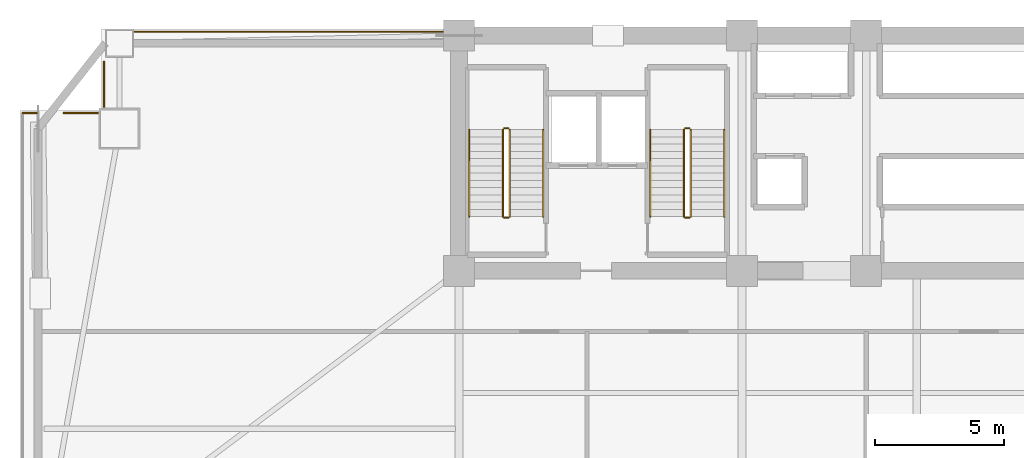
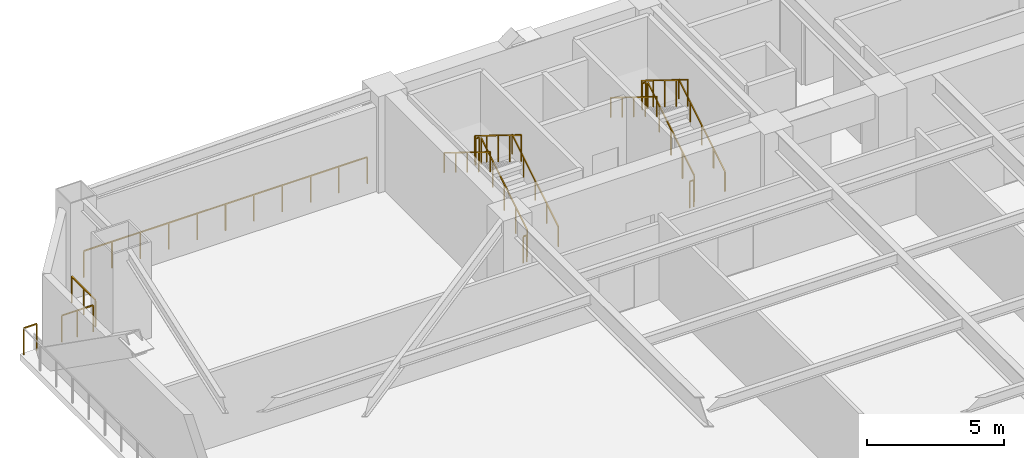
# One storey, part 7 of 9: 16 railings.
"""IFC4 building model written with IfcOpenShell, lengths in metres."""

from ifc_helpers import new_model, si_unit, direction, frame, origin, origin_2d, place, context, subcontext, project, spatial, rectangle, extrude, material, type_object, element, save


model = new_model("IFC4")

# Units and contexts
model_context = context("Model", 3, precision=1e-05, world=origin(), true_north=direction((0.0, 1.0)))
body_context = subcontext(model_context, "Body", "Model", "MODEL_VIEW")
ifc_project = project(units=[si_unit("LENGTHUNIT", "METRE"), si_unit("AREAUNIT", "SQUARE_METRE"), si_unit("VOLUMEUNIT", "CUBIC_METRE"), si_unit("PLANEANGLEUNIT", "RADIAN"), si_unit("MASSUNIT", "GRAM", prefix="KILO")], contexts=[model_context])

# Site, building, storey
site_placement = place(None, origin())
site = spatial("IfcSite", under=ifc_project, at=site_placement, CompositionType="ELEMENT")
building_placement = place(site_placement, origin())
building = spatial("IfcBuilding", under=site, at=building_placement, Name="Giltprow Tower", CompositionType="ELEMENT")
storey_placement = place(building_placement, frame((0.0, 0.0, 48.800048828125)))
storey = spatial("IfcBuildingStorey", under=building, at=storey_placement, Name="L12", CompositionType="ELEMENT", Elevation=48.800048828125)

# Railings
ifc_material = material(Name="Anodized bronze", Category="metal")
railing_type_1 = type_object("IfcRailingType", Name="RAIL-BALC-GUARD-1200", PredefinedType="BALUSTRADE", material=ifc_material)
railing_1_placement = place(storey_placement, frame((2.969970703125, 43.552001953125, 0.0)))
element("IfcRailing", 1, at=railing_1_placement, inside=storey, type_object=railing_type_1, Name="L12 Corner Apron Edge Balustrade 4", PredefinedType="BALUSTRADE", context=body_context, shape_type="SweptSolid", body=[
    extrude(rectangle(XDim=0.048095703125, YDim=0.048095703125, at=origin_2d()), frame((0.0, 0.0, 1.17578125), z_axis=(1.0, 0.0, 0.0), x_axis=(0.0, 1.0, 0.0)), (0.0, 0.0, 1.0), 0.551025390625),
    extrude(rectangle(XDim=0.0419921875, YDim=0.0419921875, at=origin_2d()), origin(), (0.0, 0.0, 1.0), 1.15185546875),
    extrude(rectangle(XDim=0.0419921875, YDim=0.0419921875, at=origin_2d()), frame((0.551025390625, 0.0, 0.0)), (0.0, 0.0, 1.0), 1.15185546875),
])
railing_2_placement = place(storey_placement, frame((4.56494140625, 43.552001953125, 0.0)))
element("IfcRailing", 2, at=railing_2_placement, inside=storey, type_object=railing_type_1, Name="L12 Corner Apron Edge Balustrade 5", PredefinedType="BALUSTRADE", context=body_context, shape_type="SweptSolid", body=[
    extrude(rectangle(XDim=0.048095703125, YDim=0.048095703125, at=origin_2d()), frame((0.0, 0.0, 1.17578125), z_axis=(1.0, 0.0, 0.0), x_axis=(0.0, 1.0, 0.0)), (0.0, 0.0, 1.0), 1.318115234375),
    extrude(rectangle(XDim=0.0419921875, YDim=0.0419921875, at=origin_2d()), origin(), (0.0, 0.0, 1.0), 1.15185546875),
    extrude(rectangle(XDim=0.0419921875, YDim=0.0419921875, at=origin_2d()), frame((0.6591796875, 0.0, 0.0)), (0.0, 0.0, 1.0), 1.15185546875),
    extrude(rectangle(XDim=0.0419921875, YDim=0.0419921875, at=origin_2d()), frame((1.318115234375, 0.0, 0.0)), (0.0, 0.0, 1.0), 1.15185546875),
])
railing_3_placement = place(storey_placement, frame((6.117919921875, 43.787109375, 0.0)))
element("IfcRailing", 3, at=railing_3_placement, inside=storey, type_object=railing_type_1, Name="L12 Corner Apron Edge Balustrade 6", PredefinedType="BALUSTRADE", context=body_context, shape_type="SweptSolid", body=[
    extrude(rectangle(XDim=0.048095703125, YDim=0.048095703125, at=origin_2d()), frame((0.0, 0.0, 1.17578125), z_axis=(0.0, 1.0, 0.0), x_axis=(-1.0, 0.0, 0.0)), (0.0, 0.0, 1.0), 1.73681640625),
    extrude(rectangle(XDim=0.0419921875, YDim=0.0419921875, at=origin_2d()), origin(), (0.0, 0.0, 1.0), 1.15185546875),
    extrude(rectangle(XDim=0.0419921875, YDim=0.0419921875, at=origin_2d()), frame((0.0, 0.868408203125, 0.0)), (0.0, 0.0, 1.0), 1.15185546875),
    extrude(rectangle(XDim=0.0419921875, YDim=0.0419921875, at=origin_2d()), frame((0.0, 1.73681640625, 0.0)), (0.0, 0.0, 1.0), 1.15185546875),
])
railing_4_placement = place(storey_placement, frame((7.302978515625, 46.699951171875, 0.0)))
element("IfcRailing", 4, at=railing_4_placement, inside=storey, type_object=railing_type_1, Name="L12 Corner Apron Edge Balustrade 7", PredefinedType="BALUSTRADE", context=body_context, shape_type="SweptSolid", body=[
    extrude(rectangle(XDim=0.048095703125, YDim=0.048095703125, at=origin_2d()), frame((0.0, 0.0, 1.17578125), z_axis=(1.0, 0.0, 0.0), x_axis=(0.0, 1.0, 0.0)), (0.0, 0.0, 1.0), 11.912109375),
    extrude(rectangle(XDim=0.0419921875, YDim=0.0419921875, at=origin_2d()), origin(), (0.0, 0.0, 1.0), 1.15185546875),
    extrude(rectangle(XDim=0.0419921875, YDim=0.0419921875, at=origin_2d()), frame((1.191162109375, 0.0, 0.0)), (0.0, 0.0, 1.0), 1.15185546875),
    extrude(rectangle(XDim=0.0419921875, YDim=0.0419921875, at=origin_2d()), frame((2.38232421875, 0.0, 0.0)), (0.0, 0.0, 1.0), 1.15185546875),
    extrude(rectangle(XDim=0.0419921875, YDim=0.0419921875, at=origin_2d()), frame((3.57373046875, 0.0, 0.0)), (0.0, 0.0, 1.0), 1.15185546875),
    extrude(rectangle(XDim=0.0419921875, YDim=0.0419921875, at=origin_2d()), frame((4.764892578125, 0.0, 0.0)), (0.0, 0.0, 1.0), 1.15185546875),
    extrude(rectangle(XDim=0.0419921875, YDim=0.0419921875, at=origin_2d()), frame((5.9560546875, 0.0, 0.0)), (0.0, 0.0, 1.0), 1.15185546875),
    extrude(rectangle(XDim=0.0419921875, YDim=0.0419921875, at=origin_2d()), frame((7.147216796875, 0.0, 0.0)), (0.0, 0.0, 1.0), 1.15185546875),
    extrude(rectangle(XDim=0.0419921875, YDim=0.0419921875, at=origin_2d()), frame((8.33837890625, 0.0, 0.0)), (0.0, 0.0, 1.0), 1.15185546875),
    extrude(rectangle(XDim=0.0419921875, YDim=0.0419921875, at=origin_2d()), frame((9.52978515625, 0.0, 0.0)), (0.0, 0.0, 1.0), 1.15185546875),
    extrude(rectangle(XDim=0.0419921875, YDim=0.0419921875, at=origin_2d()), frame((10.720947265625, 0.0, 0.0)), (0.0, 0.0, 1.0), 1.15185546875),
    extrude(rectangle(XDim=0.0419921875, YDim=0.0419921875, at=origin_2d()), frame((11.912109375, 0.0, 0.0)), (0.0, 0.0, 1.0), 1.15185546875),
])
railing_type_2 = type_object("IfcRailingType", Name="RAIL-STAIR-GUARD-1200", PredefinedType="GUARDRAIL", material=ifc_material)
railing_5_placement = place(storey_placement, frame((21.81005859375, 39.550048828125, 0.173095703125)))
element("IfcRailing", 5, at=railing_5_placement, inside=storey, type_object=railing_type_2, Name="L12 ST-1 stair guard 1", PredefinedType="GUARDRAIL", context=body_context, shape_type="SweptSolid", body=[
    extrude(rectangle(XDim=0.048095703125, YDim=0.048095703125, at=origin_2d()), frame((0.0, 0.0, 1.17578125), z_axis=(0.0, 0.850606129759, 0.525803396734), x_axis=(-1.0, 0.0, 0.0)), (0.0, 0.0, 1.0), 3.949951171875),
    extrude(rectangle(XDim=0.0419921875, YDim=0.0419921875, at=origin_2d()), origin(), (0.0, 0.0, 1.0), 1.15185546875),
    extrude(rectangle(XDim=0.0419921875, YDim=0.0419921875, at=origin_2d()), frame((0.0, 0.83984375, 0.519287109375)), (0.0, 0.0, 1.0), 1.15185546875),
    extrude(rectangle(XDim=0.0419921875, YDim=0.0419921875, at=origin_2d()), frame((0.0, 1.679931640625, 1.03857421875)), (0.0, 0.0, 1.0), 1.15185546875),
    extrude(rectangle(XDim=0.0419921875, YDim=0.0419921875, at=origin_2d()), frame((0.0, 2.52001953125, 1.5576171875)), (0.0, 0.0, 1.0), 1.15185546875),
    extrude(rectangle(XDim=0.0419921875, YDim=0.0419921875, at=origin_2d()), frame((0.0, 3.35986328125, 2.076904296875)), (0.0, 0.0, 1.0), 1.15185546875),
])
railing_6_placement = place(storey_placement, frame((21.760009765625, 42.9599609375, 2.25)))
element("IfcRailing", 6, at=railing_6_placement, inside=storey, type_object=railing_type_2, Name="L12 ST-1 stair guard 2", PredefinedType="GUARDRAIL", context=body_context, shape_type="SweptSolid", body=[
    extrude(rectangle(XDim=0.048095703125, YDim=0.048095703125, at=origin_2d()), frame((0.0, 0.0, 1.17578125), z_axis=(-1.0, 0.0, 0.0), x_axis=(0.0, -1.0, 0.0)), (0.0, 0.0, 1.0), 0.159912109375),
    extrude(rectangle(XDim=0.0419921875, YDim=0.0419921875, at=origin_2d()), origin(), (0.0, 0.0, 1.0), 1.15185546875),
    extrude(rectangle(XDim=0.0419921875, YDim=0.0419921875, at=origin_2d()), frame((-0.159912109375, 0.0, 0.0)), (0.0, 0.0, 1.0), 1.15185546875),
])
railing_7_placement = place(storey_placement, frame((21.550048828125, 42.909912109375, 2.423095703125)))
element("IfcRailing", 7, at=railing_7_placement, inside=storey, type_object=railing_type_2, Name="L12 ST-1 stair guard 3", PredefinedType="GUARDRAIL", context=body_context, shape_type="SweptSolid", body=[
    extrude(rectangle(XDim=0.048095703125, YDim=0.048095703125, at=origin_2d()), frame((0.0, 0.0, 1.17578125), z_axis=(0.0, -0.850606129759, 0.525803396734), x_axis=(1.0, 0.0, 0.0)), (0.0, 0.0, 1.0), 3.949951171875),
    extrude(rectangle(XDim=0.0419921875, YDim=0.0419921875, at=origin_2d()), origin(), (0.0, 0.0, 1.0), 1.15185546875),
    extrude(rectangle(XDim=0.0419921875, YDim=0.0419921875, at=origin_2d()), frame((0.0, -0.83984375, 0.519287109375)), (0.0, 0.0, 1.0), 1.15185546875),
    extrude(rectangle(XDim=0.0419921875, YDim=0.0419921875, at=origin_2d()), frame((0.0, -1.679931640625, 1.03857421875)), (0.0, 0.0, 1.0), 1.15185546875),
    extrude(rectangle(XDim=0.0419921875, YDim=0.0419921875, at=origin_2d()), frame((0.0, -2.52001953125, 1.5576171875)), (0.0, 0.0, 1.0), 1.15185546875),
    extrude(rectangle(XDim=0.0419921875, YDim=0.0419921875, at=origin_2d()), frame((0.0, -3.35986328125, 2.076904296875)), (0.0, 0.0, 1.0), 1.15185546875),
])
railing_8_placement = place(storey_placement, frame((21.760009765625, 39.5, 0.0)))
element("IfcRailing", 8, at=railing_8_placement, inside=storey, type_object=railing_type_2, Name="L12 ST-1 stair guard 4", PredefinedType="GUARDRAIL", context=body_context, shape_type="SweptSolid", body=[
    extrude(rectangle(XDim=0.048095703125, YDim=0.048095703125, at=origin_2d()), frame((0.0, 0.0, 1.17578125), z_axis=(-1.0, 0.0, 0.0), x_axis=(0.0, -1.0, 0.0)), (0.0, 0.0, 1.0), 0.159912109375),
    extrude(rectangle(XDim=0.0419921875, YDim=0.0419921875, at=origin_2d()), origin(), (0.0, 0.0, 1.0), 1.15185546875),
    extrude(rectangle(XDim=0.0419921875, YDim=0.0419921875, at=origin_2d()), frame((-0.159912109375, 0.0, 0.0)), (0.0, 0.0, 1.0), 1.15185546875),
])
railing_9_placement = place(storey_placement, frame((28.81005859375, 39.550048828125, 0.173095703125)))
element("IfcRailing", 9, at=railing_9_placement, inside=storey, type_object=railing_type_2, Name="L12 ST-2 stair guard 1", PredefinedType="GUARDRAIL", context=body_context, shape_type="SweptSolid", body=[
    extrude(rectangle(XDim=0.048095703125, YDim=0.048095703125, at=origin_2d()), frame((0.0, 0.0, 1.17578125), z_axis=(0.0, 0.850606129759, 0.525803396734), x_axis=(-1.0, 0.0, 0.0)), (0.0, 0.0, 1.0), 3.949951171875),
    extrude(rectangle(XDim=0.0419921875, YDim=0.0419921875, at=origin_2d()), origin(), (0.0, 0.0, 1.0), 1.15185546875),
    extrude(rectangle(XDim=0.0419921875, YDim=0.0419921875, at=origin_2d()), frame((0.0, 0.83984375, 0.519287109375)), (0.0, 0.0, 1.0), 1.15185546875),
    extrude(rectangle(XDim=0.0419921875, YDim=0.0419921875, at=origin_2d()), frame((0.0, 1.679931640625, 1.03857421875)), (0.0, 0.0, 1.0), 1.15185546875),
    extrude(rectangle(XDim=0.0419921875, YDim=0.0419921875, at=origin_2d()), frame((0.0, 2.52001953125, 1.5576171875)), (0.0, 0.0, 1.0), 1.15185546875),
    extrude(rectangle(XDim=0.0419921875, YDim=0.0419921875, at=origin_2d()), frame((0.0, 3.35986328125, 2.076904296875)), (0.0, 0.0, 1.0), 1.15185546875),
])
railing_10_placement = place(storey_placement, frame((28.760009765625, 42.9599609375, 2.25)))
element("IfcRailing", 10, at=railing_10_placement, inside=storey, type_object=railing_type_2, Name="L12 ST-2 stair guard 2", PredefinedType="GUARDRAIL", context=body_context, shape_type="SweptSolid", body=[
    extrude(rectangle(XDim=0.048095703125, YDim=0.048095703125, at=origin_2d()), frame((0.0, 0.0, 1.17578125), z_axis=(-1.0, 0.0, 0.0), x_axis=(0.0, -1.0, 0.0)), (0.0, 0.0, 1.0), 0.159912109375),
    extrude(rectangle(XDim=0.0419921875, YDim=0.0419921875, at=origin_2d()), origin(), (0.0, 0.0, 1.0), 1.15185546875),
    extrude(rectangle(XDim=0.0419921875, YDim=0.0419921875, at=origin_2d()), frame((-0.159912109375, 0.0, 0.0)), (0.0, 0.0, 1.0), 1.15185546875),
])
railing_11_placement = place(storey_placement, frame((28.550048828125, 42.909912109375, 2.423095703125)))
element("IfcRailing", 11, at=railing_11_placement, inside=storey, type_object=railing_type_2, Name="L12 ST-2 stair guard 3", PredefinedType="GUARDRAIL", context=body_context, shape_type="SweptSolid", body=[
    extrude(rectangle(XDim=0.048095703125, YDim=0.048095703125, at=origin_2d()), frame((0.0, 0.0, 1.17578125), z_axis=(0.0, -0.850606129759, 0.525803396734), x_axis=(1.0, 0.0, 0.0)), (0.0, 0.0, 1.0), 3.949951171875),
    extrude(rectangle(XDim=0.0419921875, YDim=0.0419921875, at=origin_2d()), origin(), (0.0, 0.0, 1.0), 1.15185546875),
    extrude(rectangle(XDim=0.0419921875, YDim=0.0419921875, at=origin_2d()), frame((0.0, -0.83984375, 0.519287109375)), (0.0, 0.0, 1.0), 1.15185546875),
    extrude(rectangle(XDim=0.0419921875, YDim=0.0419921875, at=origin_2d()), frame((0.0, -1.679931640625, 1.03857421875)), (0.0, 0.0, 1.0), 1.15185546875),
    extrude(rectangle(XDim=0.0419921875, YDim=0.0419921875, at=origin_2d()), frame((0.0, -2.52001953125, 1.5576171875)), (0.0, 0.0, 1.0), 1.15185546875),
    extrude(rectangle(XDim=0.0419921875, YDim=0.0419921875, at=origin_2d()), frame((0.0, -3.35986328125, 2.076904296875)), (0.0, 0.0, 1.0), 1.15185546875),
])
railing_12_placement = place(storey_placement, frame((28.760009765625, 39.5, 0.0)))
element("IfcRailing", 12, at=railing_12_placement, inside=storey, type_object=railing_type_2, Name="L12 ST-2 stair guard 4", PredefinedType="GUARDRAIL", context=body_context, shape_type="SweptSolid", body=[
    extrude(rectangle(XDim=0.048095703125, YDim=0.048095703125, at=origin_2d()), frame((0.0, 0.0, 1.17578125), z_axis=(-1.0, 0.0, 0.0), x_axis=(0.0, -1.0, 0.0)), (0.0, 0.0, 1.0), 0.159912109375),
    extrude(rectangle(XDim=0.0419921875, YDim=0.0419921875, at=origin_2d()), origin(), (0.0, 0.0, 1.0), 1.15185546875),
    extrude(rectangle(XDim=0.0419921875, YDim=0.0419921875, at=origin_2d()), frame((-0.159912109375, 0.0, 0.0)), (0.0, 0.0, 1.0), 1.15185546875),
])
railing_type_3 = type_object("IfcRailingType", Name="RAIL-STAIR-HAND-900", PredefinedType="HANDRAIL", material=ifc_material)
railing_13_placement = place(storey_placement, frame((23.110107421875, 39.550048828125, 0.173095703125)))
element("IfcRailing", 13, at=railing_13_placement, inside=storey, type_object=railing_type_3, Name="L12 ST-1 stair handrail 1", PredefinedType="HANDRAIL", context=body_context, shape_type="SweptSolid", body=[
    extrude(rectangle(XDim=0.048095703125, YDim=0.048095703125, at=origin_2d()), frame((0.0, 0.0, 0.8759765625), z_axis=(0.0, 0.850606129759, 0.525803396734), x_axis=(-1.0, 0.0, 0.0)), (0.0, 0.0, 1.0), 3.949951171875),
    extrude(rectangle(XDim=0.0419921875, YDim=0.0419921875, at=origin_2d()), origin(), (0.0, 0.0, 1.0), 0.851806640625),
    extrude(rectangle(XDim=0.0419921875, YDim=0.0419921875, at=origin_2d()), frame((0.0, 0.83984375, 0.519287109375)), (0.0, 0.0, 1.0), 0.851806640625),
    extrude(rectangle(XDim=0.0419921875, YDim=0.0419921875, at=origin_2d()), frame((0.0, 1.679931640625, 1.03857421875)), (0.0, 0.0, 1.0), 0.851806640625),
    extrude(rectangle(XDim=0.0419921875, YDim=0.0419921875, at=origin_2d()), frame((0.0, 2.52001953125, 1.5576171875)), (0.0, 0.0, 1.0), 0.851806640625),
    extrude(rectangle(XDim=0.0419921875, YDim=0.0419921875, at=origin_2d()), frame((0.0, 3.35986328125, 2.076904296875)), (0.0, 0.0, 1.0), 0.851806640625),
])
railing_14_placement = place(storey_placement, frame((20.25, 42.909912109375, 2.423095703125)))
element("IfcRailing", 14, at=railing_14_placement, inside=storey, type_object=railing_type_3, Name="L12 ST-1 stair handrail 2", PredefinedType="HANDRAIL", context=body_context, shape_type="SweptSolid", body=[
    extrude(rectangle(XDim=0.048095703125, YDim=0.048095703125, at=origin_2d()), frame((0.0, 0.0, 0.8759765625), z_axis=(0.0, -0.850606129759, 0.525803396734), x_axis=(1.0, 0.0, 0.0)), (0.0, 0.0, 1.0), 3.949951171875),
    extrude(rectangle(XDim=0.0419921875, YDim=0.0419921875, at=origin_2d()), origin(), (0.0, 0.0, 1.0), 0.851806640625),
    extrude(rectangle(XDim=0.0419921875, YDim=0.0419921875, at=origin_2d()), frame((0.0, -0.83984375, 0.519287109375)), (0.0, 0.0, 1.0), 0.851806640625),
    extrude(rectangle(XDim=0.0419921875, YDim=0.0419921875, at=origin_2d()), frame((0.0, -1.679931640625, 1.03857421875)), (0.0, 0.0, 1.0), 0.851806640625),
    extrude(rectangle(XDim=0.0419921875, YDim=0.0419921875, at=origin_2d()), frame((0.0, -2.52001953125, 1.5576171875)), (0.0, 0.0, 1.0), 0.851806640625),
    extrude(rectangle(XDim=0.0419921875, YDim=0.0419921875, at=origin_2d()), frame((0.0, -3.35986328125, 2.076904296875)), (0.0, 0.0, 1.0), 0.851806640625),
])
railing_15_placement = place(storey_placement, frame((30.110107421875, 39.550048828125, 0.173095703125)))
element("IfcRailing", 15, at=railing_15_placement, inside=storey, type_object=railing_type_3, Name="L12 ST-2 stair handrail 1", PredefinedType="HANDRAIL", context=body_context, shape_type="SweptSolid", body=[
    extrude(rectangle(XDim=0.048095703125, YDim=0.048095703125, at=origin_2d()), frame((0.0, 0.0, 0.8759765625), z_axis=(0.0, 0.850606129759, 0.525803396734), x_axis=(-1.0, 0.0, 0.0)), (0.0, 0.0, 1.0), 3.949951171875),
    extrude(rectangle(XDim=0.0419921875, YDim=0.0419921875, at=origin_2d()), origin(), (0.0, 0.0, 1.0), 0.851806640625),
    extrude(rectangle(XDim=0.0419921875, YDim=0.0419921875, at=origin_2d()), frame((0.0, 0.83984375, 0.519287109375)), (0.0, 0.0, 1.0), 0.851806640625),
    extrude(rectangle(XDim=0.0419921875, YDim=0.0419921875, at=origin_2d()), frame((0.0, 1.679931640625, 1.03857421875)), (0.0, 0.0, 1.0), 0.851806640625),
    extrude(rectangle(XDim=0.0419921875, YDim=0.0419921875, at=origin_2d()), frame((0.0, 2.52001953125, 1.5576171875)), (0.0, 0.0, 1.0), 0.851806640625),
    extrude(rectangle(XDim=0.0419921875, YDim=0.0419921875, at=origin_2d()), frame((0.0, 3.35986328125, 2.076904296875)), (0.0, 0.0, 1.0), 0.851806640625),
])
railing_16_placement = place(storey_placement, frame((27.25, 42.909912109375, 2.423095703125)))
element("IfcRailing", 16, at=railing_16_placement, inside=storey, type_object=railing_type_3, Name="L12 ST-2 stair handrail 2", PredefinedType="HANDRAIL", context=body_context, shape_type="SweptSolid", body=[
    extrude(rectangle(XDim=0.048095703125, YDim=0.048095703125, at=origin_2d()), frame((0.0, 0.0, 0.8759765625), z_axis=(0.0, -0.850606129759, 0.525803396734), x_axis=(1.0, 0.0, 0.0)), (0.0, 0.0, 1.0), 3.949951171875),
    extrude(rectangle(XDim=0.0419921875, YDim=0.0419921875, at=origin_2d()), origin(), (0.0, 0.0, 1.0), 0.851806640625),
    extrude(rectangle(XDim=0.0419921875, YDim=0.0419921875, at=origin_2d()), frame((0.0, -0.83984375, 0.519287109375)), (0.0, 0.0, 1.0), 0.851806640625),
    extrude(rectangle(XDim=0.0419921875, YDim=0.0419921875, at=origin_2d()), frame((0.0, -1.679931640625, 1.03857421875)), (0.0, 0.0, 1.0), 0.851806640625),
    extrude(rectangle(XDim=0.0419921875, YDim=0.0419921875, at=origin_2d()), frame((0.0, -2.52001953125, 1.5576171875)), (0.0, 0.0, 1.0), 0.851806640625),
    extrude(rectangle(XDim=0.0419921875, YDim=0.0419921875, at=origin_2d()), frame((0.0, -3.35986328125, 2.076904296875)), (0.0, 0.0, 1.0), 0.851806640625),
])

save(model, "model.ifc")
